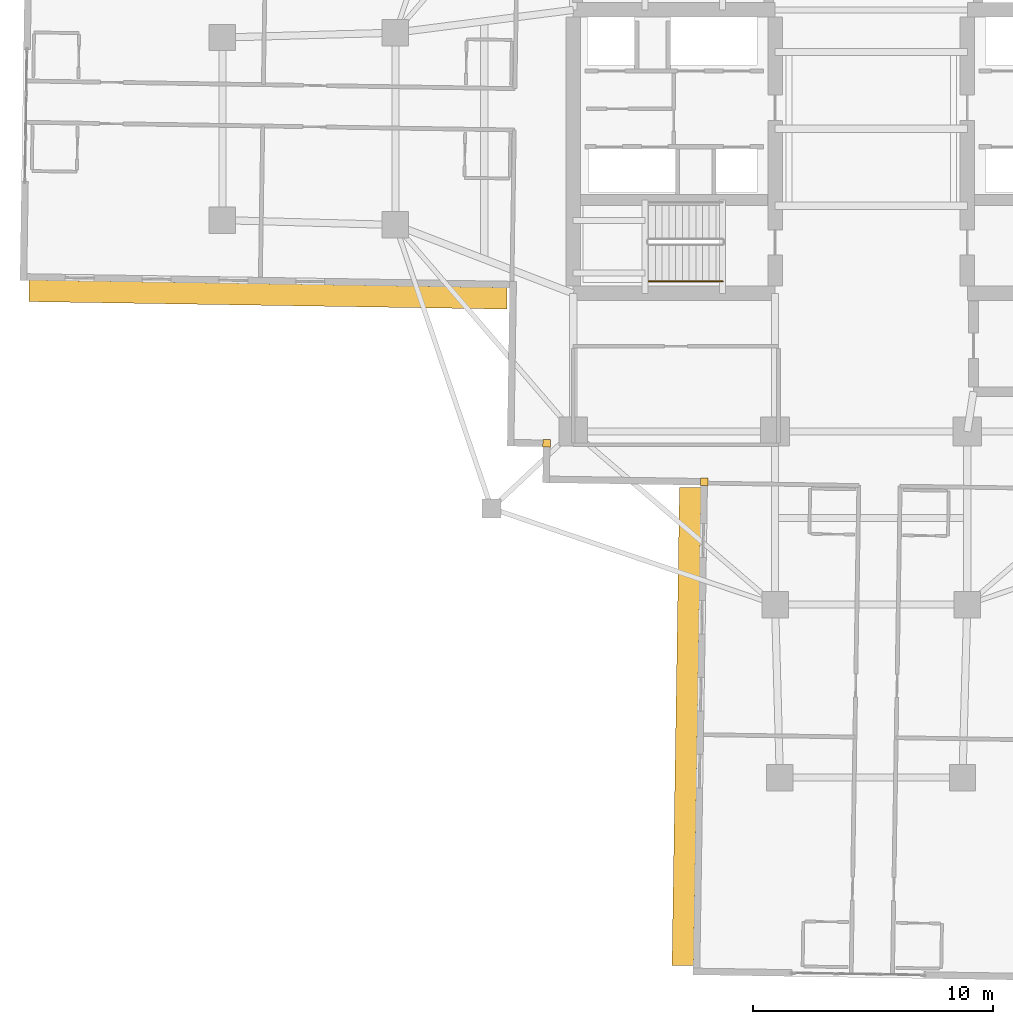
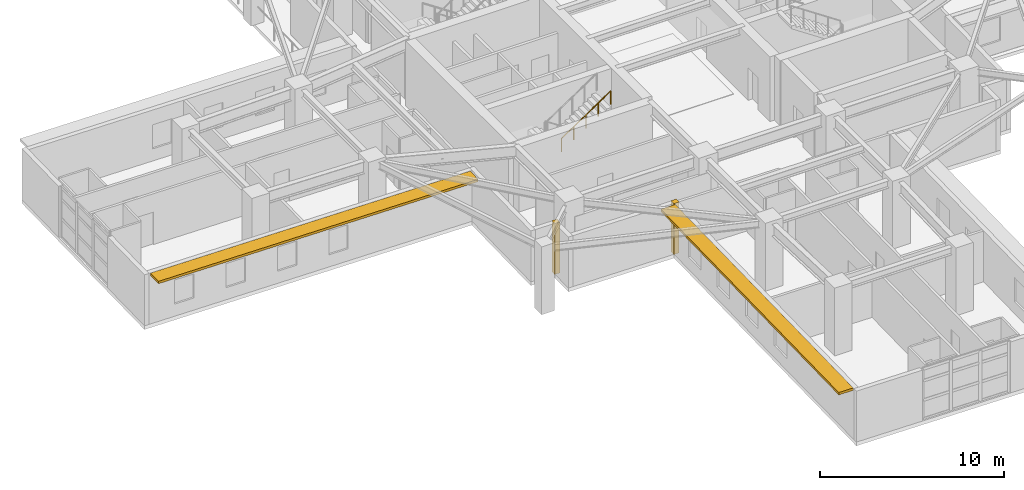
# One storey, part 18 of 22: 2 coverings, 2 shading devices, 1 railing.
"""IFC4 building model written with IfcOpenShell, lengths in metres."""

from ifc_helpers import new_model, si_unit, direction, frame, origin, origin_2d, place, context, subcontext, project, spatial, rectangle, circle, extrude, material, layer, layer_set, type_object, element, save


model = new_model("IFC4")

# Units and contexts
model_context = context("Model", 3, precision=1e-05, world=origin(), true_north=direction((0.0, 1.0)))
body_context = subcontext(model_context, "Body", "Model", "MODEL_VIEW")
ifc_project = project(units=[si_unit("LENGTHUNIT", "METRE"), si_unit("AREAUNIT", "SQUARE_METRE"), si_unit("VOLUMEUNIT", "CUBIC_METRE"), si_unit("PLANEANGLEUNIT", "RADIAN"), si_unit("MASSUNIT", "GRAM", prefix="KILO")], contexts=[model_context])

# Site, building, storey
site_placement = place(None, origin())
site = spatial("IfcSite", under=ifc_project, at=site_placement, CompositionType="ELEMENT")
building_placement = place(site_placement, origin())
building = spatial("IfcBuilding", under=site, at=building_placement, Name="Qingluan Cross Belvedere", CompositionType="ELEMENT")
storey_placement = place(building_placement, frame((0.0, 0.0, 100.199951171875)))
storey = spatial("IfcBuildingStorey", under=building, at=storey_placement, Name="L25", CompositionType="ELEMENT", Elevation=100.199951171875)

# Coverings
ifc_material_1 = material(Name="Precast concrete C45", Category="concrete")
ifc_layer_1 = layer(ifc_material_1, 0.1201171875, Name="ConcreteSpandrelCladding_120")
ifc_layer_set_1 = layer_set([ifc_layer_1], Name="Precast concrete C45")
covering_type = type_object("IfcCoveringType", Name="ConcreteSpandrelCladding_120", PredefinedType="CLADDING", material=ifc_layer_set_1)
for number, where, z_axis, x_axis, name in (
    (1, (-13.50732421875, -13.089599609375, 0.0), (0.0, 0.0, 1.0), (0.999876632482, -0.015707317312, 0.0), "Corner closure L25-SW1"),
    (2, (-6.95166015625, -14.692626953125, 0.0), (0.0, 0.0, 1.0), (0.999876632482, -0.015707317312, 0.0), "Corner closure L25-SW2"),
):
    element("IfcCovering", number, at=place(storey_placement, frame(where, z_axis=z_axis, x_axis=x_axis)), inside=storey, type_object=covering_type, Name=name, PredefinedType="CLADDING", context=body_context, shape_type="SweptSolid", body=[
        extrude(rectangle(XDim=0.320068359375, YDim=0.320068359375, at=origin_2d()), origin(), (0.0, 0.0, 1.0), 3.3798828125),
    ])

# Shading devices
ifc_material_2 = material(Name="Precast concrete C45", Category="concrete")
ifc_layer_2 = layer(ifc_material_2, 0.159912109375, Name="ConcreteSunshadeBand_900")
ifc_layer_set_2 = layer_set([ifc_layer_2], Name="Precast concrete C45")
shading_device_type = type_object("IfcShadingDeviceType", Name="ConcreteSunshadeBand_900", PredefinedType="USERDEFINED", material=ifc_layer_set_2)
for number, where, z_axis, x_axis, name in (
    (3, (-25.101318359375, -6.896484375, 3.2001953125), (0.0, 0.0, 1.0), (0.999876645576, -0.015706483741, 0.0), "Concrete SUNSHADE L25-WB"),
    (4, (-7.681640625, -24.872314453125, 3.2001953125), (0.0, 0.0, 1.0), (-0.015711457647, -0.999876567432, 0.0), "Concrete SUNSHADE L25-SA"),
):
    element("IfcShadingDevice", number, at=place(storey_placement, frame(where, z_axis=z_axis, x_axis=x_axis)), inside=storey, type_object=shading_device_type, Name=name, ObjectType="SUNSHADE", PredefinedType="USERDEFINED", context=body_context, shape_type="SweptSolid", body=[
        extrude(rectangle(XDim=19.89990234375, YDim=0.89990234375, at=origin_2d()), origin(), (0.0, 0.0, 1.0), 0.159912109375),
    ])

# Railing
ifc_material_3 = material(Name="Brushed stainless steel tubular handrail", Category="steel")
railing_type = type_object("IfcRailingType", Name="StairPitchHandrail_900", PredefinedType="HANDRAIL", material=ifc_material_3)
railing_placement = place(storey_placement, frame((-9.260009765625, -6.35009765625, 2.4375)))
element("IfcRailing", 5, at=railing_placement, inside=storey, type_object=railing_type, Name="L25 ST1 stair handrail 2", PredefinedType="HANDRAIL", context=body_context, shape_type="SweptSolid", body=[
    extrude(circle(Radius=0.02392578125, at=origin_2d()), frame((0.0, 0.0, 0.8759765625), z_axis=(0.830913701846, 0.0, 0.55640131208), x_axis=(0.0, 1.0, 0.0)), (0.0, 0.0, 1.0), 3.706787109375),
    extrude(circle(Radius=0.02099609375, at=origin_2d()), origin(), (0.0, 0.0, 1.0), 0.851806640625),
    extrude(circle(Radius=0.02099609375, at=origin_2d()), frame((0.77001953125, 0.0, 0.515625)), (0.0, 0.0, 1.0), 0.851806640625),
    extrude(circle(Radius=0.02099609375, at=origin_2d()), frame((1.5400390625, 0.0, 1.03125)), (0.0, 0.0, 1.0), 0.851806640625),
    extrude(circle(Radius=0.02099609375, at=origin_2d()), frame((2.31005859375, 0.0, 1.546875)), (0.0, 0.0, 1.0), 0.851806640625),
    extrude(circle(Radius=0.02099609375, at=origin_2d()), frame((3.080078125, 0.0, 2.0625)), (0.0, 0.0, 1.0), 0.851806640625),
])

save(model, "model.ifc")
